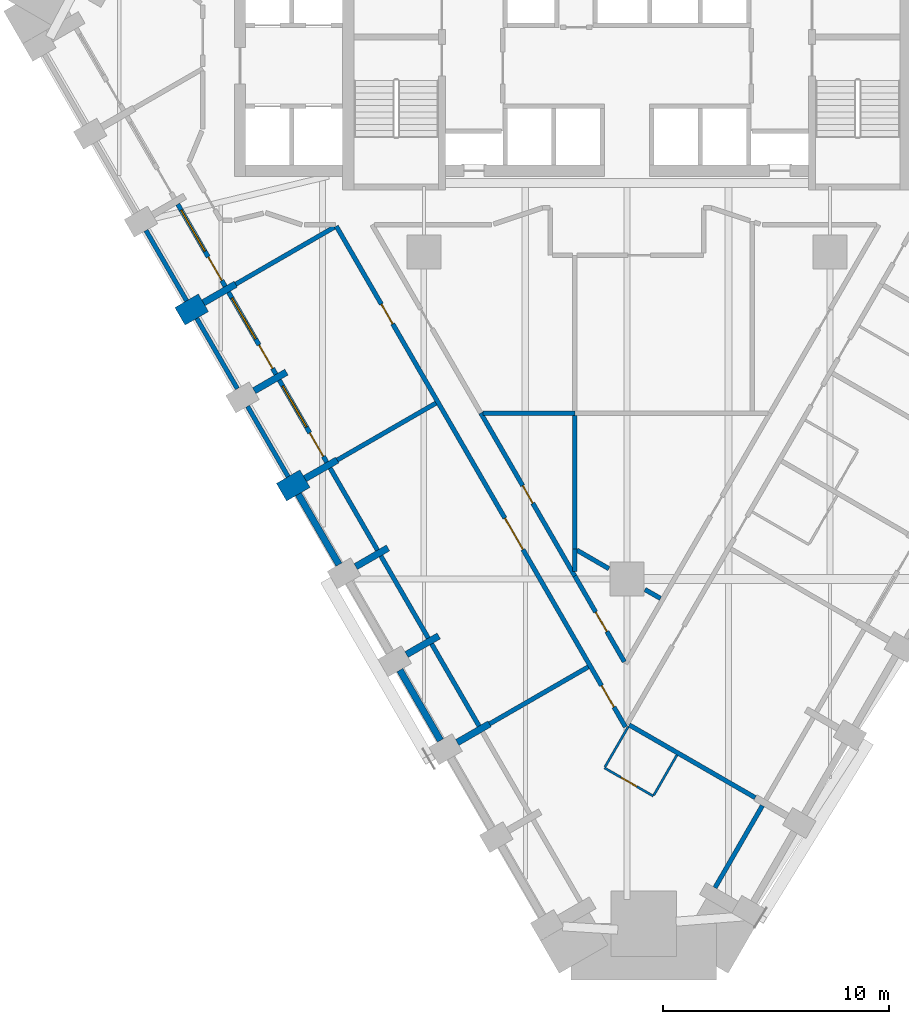
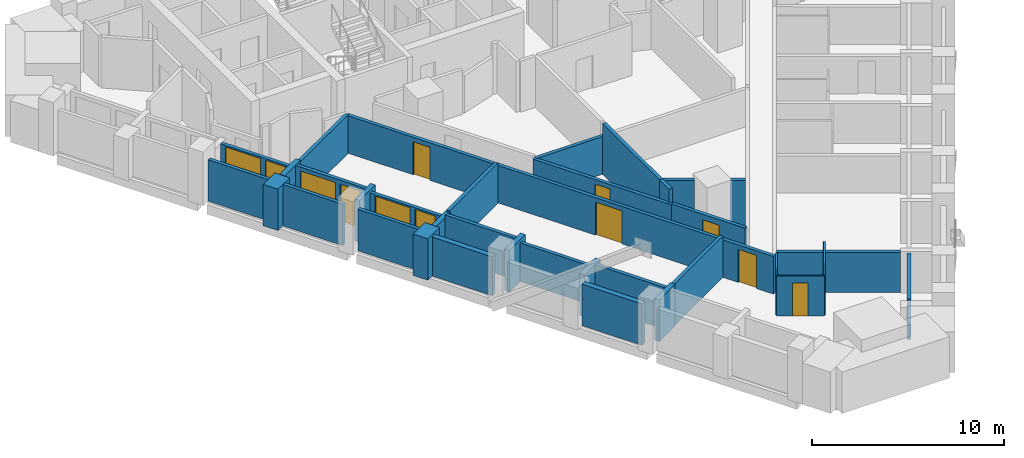
# One storey, part 3 of 11: 35 walls, 9 doors, 3 windows, 12 openings.
"""IFC4 building model written with IfcOpenShell, lengths in metres."""

from ifc_helpers import new_model, si_unit, direction, frame, frame_2d, origin, place, context, subcontext, project, spatial, rectangle, extrude, material, layer, layer_set, type_object, element, fill, save


model = new_model("IFC4")

# Units and contexts
model_context = context("Model", 3, precision=1e-05, world=origin(), true_north=direction((0.0, 1.0)))
body_context = subcontext(model_context, "Body", "Model", "MODEL_VIEW")
ifc_project = project(units=[si_unit("LENGTHUNIT", "METRE"), si_unit("AREAUNIT", "SQUARE_METRE"), si_unit("VOLUMEUNIT", "CUBIC_METRE"), si_unit("PLANEANGLEUNIT", "RADIAN"), si_unit("MASSUNIT", "GRAM", prefix="KILO")], contexts=[model_context])

# Site, building, storey
site_placement = place(None, origin())
site = spatial("IfcSite", under=ifc_project, at=site_placement, CompositionType="ELEMENT")
building_placement = place(site_placement, origin())
building = spatial("IfcBuilding", under=site, at=building_placement, Name="Calabash Gate Tower", CompositionType="ELEMENT")
storey_placement = place(building_placement, frame((0.0, 0.0, 112.199951171875)))
storey = spatial("IfcBuildingStorey", under=building, at=storey_placement, Name="L25", CompositionType="ELEMENT", Elevation=112.199951171875)

# Walls
ifc_material_1 = material(Name="Terracotta brick masonry, exposed face", Category="masonry")
ifc_layer_1 = layer(ifc_material_1, 1.199951171875)
ifc_layer_set_1 = layer_set([ifc_layer_1], Name="Brick end wall 1200")
wall_type_1 = type_object("IfcWallType", Name="Brick end wall 1200", PredefinedType="SOLIDWALL", material=ifc_layer_set_1)
for number, where, z_axis, x_axis, name in (
    (1, (-19.80859375, -0.355224609375, 0.0), (0.0, 0.0, 1.0), (0.866043267704, 0.499969057507, 0.0), "Brick pier S07 SW0.3"),
    (2, (-15.30859375, -8.1494140625, 0.0), (0.0, 0.0, 1.0), (0.866043267704, 0.499969057507, 0.0), "Brick pier S07 SW0.5"),
):
    element("IfcWall", number, at=place(storey_placement, frame(where, z_axis=z_axis, x_axis=x_axis)), inside=storey, type_object=wall_type_1, Name=name, PredefinedType="SOLIDWALL", context=body_context, shape_type="SweptSolid", body=[
        extrude(rectangle(XDim=1.19970703125, YDim=0.89990234375, at=frame_2d((0.599853515625, 0.0))), origin(), (0.0, 0.0, 1.0), 2.630126953125),
    ])
ifc_material_2 = material(Name="Terracotta brick masonry, exposed face", Category="masonry")
ifc_layer_2 = layer(ifc_material_2, 0.300048828125)
ifc_layer_set_2 = layer_set([ifc_layer_2], Name="Brick infill panel wall 300")
wall_type_2 = type_object("IfcWallType", Name="Brick infill panel wall 300", PredefinedType="SOLIDWALL", material=ifc_layer_set_2)
wall_1_placement = place(storey_placement, frame((-14.56396484375, -8.2392578125, 0.0), z_axis=(0.0, 0.0, 1.0), x_axis=(0.500012057535, -0.866018442252, 0.0)))
element("IfcWall", 3, at=wall_1_placement, inside=storey, type_object=wall_type_2, Name="Brick panel S07 SW0.6", PredefinedType="SOLIDWALL", context=body_context, shape_type="SweptSolid", body=[
    extrude(rectangle(XDim=3.60009765625, YDim=0.300048828125, at=frame_2d((1.800048828125, 0.0))), origin(), (0.0, 0.0, 1.0), 2.4736328125),
])
wall_2_placement = place(storey_placement, frame((-10.06396484375, -16.033447265625, 0.0), z_axis=(0.0, 0.0, 1.0), x_axis=(0.500012057535, -0.866018442252, 0.0)))
element("IfcWall", 4, at=wall_2_placement, inside=storey, type_object=wall_type_2, Name="Brick panel S07 SW0.8", PredefinedType="SOLIDWALL", context=body_context, shape_type="SweptSolid", body=[
    extrude(rectangle(XDim=3.60009765625, YDim=0.300048828125, at=frame_2d((1.800048828125, 0.0))), origin(), (0.0, 0.0, 1.0), 2.630126953125),
])
ifc_material_3 = material(Name="Terracotta brick masonry, exposed face", Category="masonry")
ifc_layer_3 = layer(ifc_material_3, 0.300048828125)
ifc_layer_set_3 = layer_set([ifc_layer_3], Name="Brick loggia cheek wall 300")
wall_type_3 = type_object("IfcWallType", Name="Brick loggia cheek wall 300", PredefinedType="SOLIDWALL", material=ifc_layer_set_3)
wall_3_placement = place(storey_placement, frame((-18.76953125, 0.24462890625, 0.0), z_axis=(0.0, 0.0, 1.0), x_axis=(0.865976140824, 0.500085316245, 0.0)))
element("IfcWall", 5, at=wall_3_placement, inside=storey, type_object=wall_type_3, Name="Loggia cheek S07 SW0.3", PredefinedType="SOLIDWALL", context=body_context, shape_type="SweptSolid", body=[
    extrude(rectangle(XDim=1.650146484375, YDim=0.300048828125, at=frame_2d((0.8251953125, 0.0))), origin(), (0.0, 0.0, 1.0), 2.650146484375),
])
wall_4_placement = place(storey_placement, frame((-16.519287109375, -3.65234375, 0.0), z_axis=(0.0, 0.0, 1.0), x_axis=(0.866003217194, 0.500038426333, 0.0)))
element("IfcWall", 6, at=wall_4_placement, inside=storey, type_object=wall_type_3, Name="Loggia cheek S07 SW0.4", PredefinedType="SOLIDWALL", context=body_context, shape_type="SweptSolid", body=[
    extrude(rectangle(XDim=1.649658203125, YDim=0.300048828125, at=frame_2d((0.82470703125, 0.0))), origin(), (0.0, 0.0, 1.0), 2.650146484375),
])
wall_5_placement = place(storey_placement, frame((-12.840576171875, -6.724609375, 0.0), z_axis=(0.0, 0.0, 1.0), x_axis=(-0.866040211805, -0.499974350878, 0.0)))
element("IfcWall", 7, at=wall_5_placement, inside=storey, type_object=wall_type_3, Name="Loggia cheek S07 SW0.5", PredefinedType="SOLIDWALL", context=body_context, shape_type="SweptSolid", body=[
    extrude(rectangle(XDim=1.64990234375, YDim=0.300048828125, at=frame_2d((0.824951171875, 0.0))), origin(), (0.0, 0.0, 1.0), 2.4736328125),
])
for number, where, z_axis, x_axis, name in (
    (8, (-12.01953125, -11.446533203125, 0.0), (0.0, 0.0, 1.0), (0.866040211805, 0.499974350878, 0.0), "Loggia cheek S07 SW0.6"),
    (9, (-8.340576171875, -14.518798828125, 0.0), (0.0, 0.0, 1.0), (-0.866040211805, -0.499974350878, 0.0), "Loggia cheek S07 SW0.7"),
):
    element("IfcWall", number, at=place(storey_placement, frame(where, z_axis=z_axis, x_axis=x_axis)), inside=storey, type_object=wall_type_3, Name=name, PredefinedType="SOLIDWALL", context=body_context, shape_type="SweptSolid", body=[
        extrude(rectangle(XDim=1.64990234375, YDim=0.300048828125, at=frame_2d((0.824951171875, 0.0))), origin(), (0.0, 0.0, 1.0), 2.650146484375),
    ])
wall_6_placement = place(storey_placement, frame((-7.51953125, -19.240966796875, 0.0), z_axis=(0.0, 0.0, 1.0), x_axis=(0.865976140824, 0.500085316245, 0.0)))
element("IfcWall", 10, at=wall_6_placement, inside=storey, type_object=wall_type_3, Name="Loggia cheek S07 SW0.8", PredefinedType="SOLIDWALL", context=body_context, shape_type="SweptSolid", body=[
    extrude(rectangle(XDim=1.650146484375, YDim=0.300048828125, at=frame_2d((0.8251953125, 0.0))), origin(), (0.0, 0.0, 1.0), 2.650146484375),
])
ifc_material_4 = material(Name="Gypsum board on steel studs, mineral wool", Category="steel")
ifc_layer_4 = layer(ifc_material_4, 0.10009765625)
ifc_layer_set_4 = layer_set([ifc_layer_4], Name="Partition 100 gypsum board")
wall_type_4 = type_object("IfcWallType", Name="Partition 100 gypsum board", PredefinedType="PARTITIONING", material=ifc_layer_set_4)
wall_7_placement = place(storey_placement, frame((1.192626953125, -21.573486328125, 0.0), z_axis=(0.0, 0.0, 1.0), x_axis=(0.499354689006, 0.866397653833, 0.0)))
element("IfcWall", 11, at=wall_7_placement, inside=storey, type_object=wall_type_4, Name="Partition", PredefinedType="PARTITIONING", context=body_context, shape_type="SweptSolid", body=[
    extrude(rectangle(XDim=2.050048828125, YDim=0.10009765625, at=frame_2d((1.02490234375, 0.0))), origin(), (0.0, 0.0, 1.0), 3.22998046875),
])

# Wall, opening, door
wall_8_placement = place(storey_placement, frame((-0.997314453125, -20.36669921875, 0.0), z_axis=(0.0, 0.0, 1.0), x_axis=(0.866022959057, -0.500004234368, 0.0)))
wall_8 = element("IfcWall", 12, at=wall_8_placement, inside=storey, type_object=wall_type_4, Name="Partition", PredefinedType="PARTITIONING", context=body_context, shape_type="SweptSolid", body=[
    extrude(rectangle(XDim=2.5, YDim=0.10009765625, at=frame_2d((1.25, 0.0))), origin(), (0.0, 0.0, 1.0), 2.552001953125),
])
opening_1_placement = place(wall_8_placement, frame((0.85009765625, 0.0, 0.0)))
opening_1 = element("IfcOpeningElement", 13, at=opening_1_placement, cuts=wall_8, Name="Opening 25-27-017", PredefinedType="OPENING", context=body_context, shape_type="SweptSolid", body=[
    extrude(rectangle(XDim=0.800048828125, YDim=2.10009765625, at=frame_2d((0.39990234375, 1.050048828125))), frame((0.0, 0.06005859375, 0.0), z_axis=(0.0, -1.0, 0.0), x_axis=(1.0, 0.0, 0.0)), (0.0, 0.0, 1.0), 0.1201171875),
])
ifc_material_5 = material(Name="Painted timber door", Category="wood")
door_type_1 = type_object("IfcDoorType", Name="GD5 En-suite door 800x2100", OperationType="NOTDEFINED", PredefinedType="DOOR", material=ifc_material_5)
door_1_placement = place(opening_1_placement, origin())
door_1 = element("IfcDoor", 14, at=door_1_placement, inside=storey, type_object=door_type_1, Name="En-suite door", OperationType="SINGLE_SWING_RIGHT", OverallHeight=2.10009765625, OverallWidth=0.800048828125, PredefinedType="DOOR", context=body_context, shape_type="SweptSolid", body=[
    extrude(rectangle(XDim=0.800048828125, YDim=2.10009765625, at=frame_2d((0.39990234375, 1.050048828125))), frame((0.0, 0.02490234375, 0.0), z_axis=(0.0, -1.0, 0.0), x_axis=(1.0, 0.0, 0.0)), (0.0, 0.0, 1.0), 0.050048828125),
])
fill(opening_1, door_1)

# Wall
wall_9_placement = place(storey_placement, frame((-0.972412109375, -20.323486328125, 0.0), z_axis=(0.0, 0.0, 1.0), x_axis=(0.500646589026, 0.865651773461, 0.0)))
element("IfcWall", 15, at=wall_9_placement, inside=storey, type_object=wall_type_4, Name="Partition", PredefinedType="PARTITIONING", context=body_context, shape_type="SweptSolid", body=[
    extrude(rectangle(XDim=2.050048828125, YDim=0.10009765625, at=frame_2d((1.02490234375, 0.0))), origin(), (0.0, 0.0, 1.0), 2.552001953125),
])

# Wall, openings, doors
ifc_material_6 = material(Name="Gypsum board on steel studs, mineral wool", Category="steel")
ifc_layer_5 = layer(ifc_material_6, 0.199951171875)
ifc_layer_set_5 = layer_set([ifc_layer_5], Name="Partition 200 gypsum board EI 60")
wall_type_5 = type_object("IfcWallType", Name="Partition 200 gypsum board EI 60", PredefinedType="PARTITIONING", material=ifc_layer_set_5)
wall_10_placement = place(storey_placement, frame((-12.882080078125, 3.643798828125, 0.0), z_axis=(0.0, 0.0, 1.0), x_axis=(0.500000325599, -0.866025215799, 0.0)))
wall_10 = element("IfcWall", 16, at=wall_10_placement, inside=storey, type_object=wall_type_5, Name="Partition", PredefinedType="PARTITIONING", context=body_context, shape_type="SweptSolid", body=[
    extrude(rectangle(XDim=25.63037109375, YDim=0.199951171875, at=frame_2d((12.815185546875, 0.0))), origin(), (0.0, 0.0, 1.0), 2.384033203125),
])
opening_2_placement = place(wall_10_placement, frame((4.0, 0.0, 0.0)))
opening_2 = element("IfcOpeningElement", 17, at=opening_2_placement, cuts=wall_10, Name="Opening 25-27-001", PredefinedType="OPENING", context=body_context, shape_type="SweptSolid", body=[
    extrude(rectangle(XDim=1.0, YDim=2.10009765625, at=frame_2d((0.5, 1.050048828125))), frame((0.0, 0.10986328125, 0.0), z_axis=(0.0, -1.0, 0.0), x_axis=(1.0, 0.0, 0.0)), (0.0, 0.0, 1.0), 0.219970703125),
])
opening_3_placement = place(wall_10_placement, frame((14.9501953125, 0.0, 0.0)))
opening_3 = element("IfcOpeningElement", 18, at=opening_3_placement, cuts=wall_10, Name="Opening 25-27-002", PredefinedType="OPENING", context=body_context, shape_type="SweptSolid", body=[
    extrude(rectangle(XDim=1.60009765625, YDim=2.10009765625, at=frame_2d((0.800048828125, 1.050048828125))), frame((0.0, 0.10986328125, 0.0), z_axis=(0.0, -1.0, 0.0), x_axis=(1.0, 0.0, 0.0)), (0.0, 0.0, 1.0), 0.219970703125),
])
opening_4_placement = place(wall_10_placement, frame((23.515380859375, 0.0, 0.0)))
opening_4 = element("IfcOpeningElement", 19, at=opening_4_placement, cuts=wall_10, Name="Opening 25-27-026", PredefinedType="OPENING", context=body_context, shape_type="SweptSolid", body=[
    extrude(rectangle(XDim=1.10009765625, YDim=2.10009765625, at=frame_2d((0.550048828125, 1.050048828125))), frame((0.0, 0.10986328125, 0.0), z_axis=(0.0, -1.0, 0.0), x_axis=(1.0, 0.0, 0.0)), (0.0, 0.0, 1.0), 0.219970703125),
])
ifc_material_7 = material(Name="Steel fire door set with fire-resisting glazing", Category="steel")
door_type_2 = type_object("IfcDoorType", Name="GD3 Suite entrance door 1100x2100", OperationType="NOTDEFINED", PredefinedType="DOOR", material=ifc_material_7)
door_2_placement = place(opening_4_placement, origin())
door_2 = element("IfcDoor", 20, at=door_2_placement, inside=storey, type_object=door_type_2, Name="Suite entrance door", OperationType="SINGLE_SWING_LEFT", OverallHeight=2.10009765625, OverallWidth=1.10009765625, PredefinedType="DOOR", context=body_context, shape_type="SweptSolid", body=[
    extrude(rectangle(XDim=1.10009765625, YDim=2.10009765625, at=frame_2d((0.550048828125, 1.050048828125))), frame((0.0, 0.02490234375, 0.0), z_axis=(0.0, -1.0, 0.0), x_axis=(1.0, 0.0, 0.0)), (0.0, 0.0, 1.0), 0.050048828125),
])
fill(opening_4, door_2)
ifc_material_8 = material(Name="Steel fire door set with fire-resisting glazing", Category="steel")
door_type_3 = type_object("IfcDoorType", Name="LD1 Lounge double door 1600x2100", OperationType="NOTDEFINED", PredefinedType="DOOR", material=ifc_material_8)
door_3_placement = place(opening_3_placement, origin())
door_3 = element("IfcDoor", 21, at=door_3_placement, inside=storey, type_object=door_type_3, Name="Lounge double door", OperationType="DOUBLE_DOOR_SINGLE_SWING", OverallHeight=2.10009765625, OverallWidth=1.60009765625, PredefinedType="DOOR", context=body_context, shape_type="SweptSolid", body=[
    extrude(rectangle(XDim=1.60009765625, YDim=2.10009765625, at=frame_2d((0.800048828125, 1.050048828125))), frame((0.0, 0.02490234375, 0.0), z_axis=(0.0, -1.0, 0.0), x_axis=(1.0, 0.0, 0.0)), (0.0, 0.0, 1.0), 0.050048828125),
])
fill(opening_3, door_3)
ifc_material_9 = material(Name="Steel fire door set with fire-resisting glazing", Category="steel")
door_type_4 = type_object("IfcDoorType", Name="LD2 Meeting room door 1000x2100", OperationType="NOTDEFINED", PredefinedType="DOOR", material=ifc_material_9)
door_4_placement = place(opening_2_placement, origin())
door_4 = element("IfcDoor", 22, at=door_4_placement, inside=storey, type_object=door_type_4, Name="Meeting room door", OperationType="SINGLE_SWING_RIGHT", OverallHeight=2.10009765625, OverallWidth=1.0, PredefinedType="DOOR", context=body_context, shape_type="SweptSolid", body=[
    extrude(rectangle(XDim=1.0, YDim=2.10009765625, at=frame_2d((0.5, 1.050048828125))), frame((0.0, 0.02490234375, 0.0), z_axis=(0.0, -1.0, 0.0), x_axis=(1.0, 0.0, 0.0)), (0.0, 0.0, 1.0), 0.050048828125),
])
fill(opening_2, door_4)

# Walls
wall_11_placement = place(storey_placement, frame((0.101806640625, -18.462890625, 0.0), z_axis=(0.0, 0.0, 1.0), x_axis=(0.866035557451, -0.499982412921, 0.0)))
element("IfcWall", 23, at=wall_11_placement, inside=storey, type_object=wall_type_5, Name="Partition", PredefinedType="PARTITIONING", context=body_context, shape_type="SweptSolid", body=[
    extrude(rectangle(XDim=6.449462890625, YDim=0.199951171875, at=frame_2d((3.224609375, 0.0))), origin(), (0.0, 0.0, 1.0), 2.552001953125),
])
wall_12_placement = place(storey_placement, frame((-6.090087890625, -18.416259765625, 0.0), z_axis=(0.0, 0.0, 1.0), x_axis=(0.866164656326, 0.49975872992, 0.0)))
element("IfcWall", 24, at=wall_12_placement, inside=storey, type_object=wall_type_5, Name="Partition", PredefinedType="PARTITIONING", context=body_context, shape_type="SweptSolid", body=[
    extrude(rectangle(XDim=5.04931640625, YDim=0.199951171875, at=frame_2d((2.524658203125, 0.0))), origin(), (0.0, 0.0, 1.0), 2.6279296875),
])
wall_13_placement = place(storey_placement, frame((0.800048828125, -12.461669921875, 0.0), z_axis=(0.0, 0.0, 1.0), x_axis=(0.867012419422, -0.498286528584, 0.0)))
element("IfcWall", 25, at=wall_13_placement, inside=storey, type_object=wall_type_5, Name="Partition", PredefinedType="PARTITIONING", context=body_context, shape_type="SweptSolid", body=[
    extrude(rectangle(XDim=0.795166015625, YDim=0.199951171875, at=frame_2d((0.3974609375, 0.0))), origin(), (0.0, 0.0, 1.0), 3.22998046875),
])

# Wall, opening, door
wall_14_placement = place(storey_placement, frame((-2.311279296875, -11.861083984375, 0.0), z_axis=(0.0, 0.0, 1.0), x_axis=(0.499977492351, -0.866038398192, 0.0)))
wall_14 = element("IfcWall", 26, at=wall_14_placement, inside=storey, type_object=wall_type_5, Name="Partition", PredefinedType="PARTITIONING", context=body_context, shape_type="SweptSolid", body=[
    extrude(rectangle(XDim=4.391845703125, YDim=0.199951171875, at=frame_2d((2.19580078125, 0.0))), origin(), (0.0, 0.0, 1.0), 2.4501953125),
])
opening_5_placement = place(wall_14_placement, frame((1.84423828125, 0.0, 0.0)))
opening_5 = element("IfcOpeningElement", 27, at=opening_5_placement, cuts=wall_14, Name="Opening 25-27-015", PredefinedType="OPENING", context=body_context, shape_type="SweptSolid", body=[
    extrude(rectangle(XDim=1.0, YDim=2.10009765625, at=frame_2d((0.5, 1.050048828125))), frame((0.0, 0.10986328125, 0.0), z_axis=(0.0, -1.0, 0.0), x_axis=(1.0, 0.0, 0.0)), (0.0, 0.0, 1.0), 0.219970703125),
])
door_5_placement = place(opening_5_placement, origin())
door_5 = element("IfcDoor", 28, at=door_5_placement, inside=storey, type_object=door_type_4, Name="Meeting room door", OperationType="SINGLE_SWING_RIGHT", OverallHeight=2.10009765625, OverallWidth=1.0, PredefinedType="DOOR", context=body_context, shape_type="SweptSolid", body=[
    extrude(rectangle(XDim=1.0, YDim=2.10009765625, at=frame_2d((0.5, 1.050048828125))), frame((0.0, 0.02490234375, 0.0), z_axis=(0.0, -1.0, 0.0), x_axis=(1.0, 0.0, 0.0)), (0.0, 0.0, 1.0), 0.050048828125),
])
fill(opening_5, door_5)

# Walls
wall_15_placement = place(storey_placement, frame((-2.224609375, -10.713623046875, 0.0), z_axis=(0.0, 0.0, 1.0), x_axis=(0.865565051919, -0.500796506474, 0.0)))
element("IfcWall", 29, at=wall_15_placement, inside=storey, type_object=wall_type_5, Name="Partition", PredefinedType="PARTITIONING", context=body_context, shape_type="SweptSolid", body=[
    extrude(rectangle(XDim=1.645751953125, YDim=0.199951171875, at=frame_2d((0.82275390625, 0.0))), origin(), (0.0, 0.0, 1.0), 3.22998046875),
])
wall_16_placement = place(storey_placement, frame((-2.31103515625, -11.66162109375, 0.0), z_axis=(0.0, 0.0, 1.0), x_axis=(0.001472029808, 0.999998916564, 0.0)))
element("IfcWall", 30, at=wall_16_placement, inside=storey, type_object=wall_type_5, Name="Partition", PredefinedType="PARTITIONING", context=body_context, shape_type="SweptSolid", body=[
    extrude(rectangle(XDim=0.9951171875, YDim=0.199951171875, at=frame_2d((0.49755859375, 0.0))), origin(), (0.0, 0.0, 1.0), 3.22998046875),
])
wall_17_placement = place(storey_placement, frame((-2.3095703125, -10.66650390625, 0.0), z_axis=(0.0, 0.0, 1.0), x_axis=(0.0, 1.0, 0.0)))
element("IfcWall", 31, at=wall_17_placement, inside=storey, type_object=wall_type_5, Name="Partition", PredefinedType="PARTITIONING", context=body_context, shape_type="SweptSolid", body=[
    extrude(rectangle(XDim=5.927001953125, YDim=0.199951171875, at=frame_2d((2.96337890625, 0.0))), origin(), (0.0, 0.0, 1.0), 3.22998046875),
])

# Wall, opening, door
wall_18_placement = place(storey_placement, frame((-6.4775390625, -4.641357421875, 0.0), z_axis=(0.0, 0.0, 1.0), x_axis=(0.499806127846, -0.866137306994, 0.0)))
wall_18 = element("IfcWall", 32, at=wall_18_placement, inside=storey, type_object=wall_type_5, Name="Partition", PredefinedType="PARTITIONING", context=body_context, shape_type="SweptSolid", body=[
    extrude(rectangle(XDim=8.335205078125, YDim=0.199951171875, at=frame_2d((4.16748046875, 0.0))), origin(), (0.0, 0.0, 1.0), 2.384033203125),
])
opening_6_placement = place(wall_18_placement, frame((3.716064453125, 0.0, 0.0)))
opening_6 = element("IfcOpeningElement", 33, at=opening_6_placement, cuts=wall_18, Name="Opening 25-27-014", PredefinedType="OPENING", context=body_context, shape_type="SweptSolid", body=[
    extrude(rectangle(XDim=0.89990234375, YDim=2.10009765625, at=frame_2d((0.449951171875, 1.050048828125))), frame((0.0, 0.10986328125, 0.0), z_axis=(0.0, -1.0, 0.0), x_axis=(1.0, 0.0, 0.0)), (0.0, 0.0, 1.0), 0.219970703125),
])
ifc_material_10 = material(Name="Steel fire door set with fire-resisting glazing", Category="steel")
door_type_5 = type_object("IfcDoorType", Name="SD3 Store door 900x2100", OperationType="NOTDEFINED", PredefinedType="DOOR", material=ifc_material_10)
door_6_placement = place(opening_6_placement, origin())
door_6 = element("IfcDoor", 34, at=door_6_placement, inside=storey, type_object=door_type_5, Name="Store door", OperationType="SINGLE_SWING_LEFT", OverallHeight=2.10009765625, OverallWidth=0.89990234375, PredefinedType="DOOR", context=body_context, shape_type="SweptSolid", body=[
    extrude(rectangle(XDim=0.89990234375, YDim=2.10009765625, at=frame_2d((0.449951171875, 1.050048828125))), frame((0.0, 0.02490234375, 0.0), z_axis=(0.0, -1.0, 0.0), x_axis=(1.0, 0.0, 0.0)), (0.0, 0.0, 1.0), 0.050048828125),
])
fill(opening_6, door_6)

# Walls
wall_19_placement = place(storey_placement, frame((-6.377685546875, -4.641357421875, 0.0), z_axis=(0.0, 0.0, 1.0), x_axis=(1.0, 0.0, 0.0)))
element("IfcWall", 35, at=wall_19_placement, inside=storey, type_object=wall_type_5, Name="Partition", PredefinedType="PARTITIONING", context=body_context, shape_type="SweptSolid", body=[
    extrude(rectangle(XDim=4.066162109375, YDim=0.199951171875, at=frame_2d((2.033203125, 0.0))), origin(), (0.0, 0.0, 1.0), 2.384033203125),
])
wall_20_placement = place(storey_placement, frame((-12.84033203125, -6.724609375, 0.0), z_axis=(0.0, 0.0, 1.0), x_axis=(0.866209732401, 0.499680597475, 0.0)))
element("IfcWall", 36, at=wall_20_placement, inside=storey, type_object=wall_type_5, Name="Partition", PredefinedType="PARTITIONING", context=body_context, shape_type="SweptSolid", body=[
    extrude(rectangle(XDim=5.049560546875, YDim=0.199951171875, at=frame_2d((2.52490234375, 0.0))), origin(), (0.0, 0.0, 1.0), 2.552001953125),
])
wall_21_placement = place(storey_placement, frame((-17.3408203125, 1.0703125, 0.0), z_axis=(0.0, 0.0, 1.0), x_axis=(0.865894858421, 0.500226043064, 0.0)))
element("IfcWall", 37, at=wall_21_placement, inside=storey, type_object=wall_type_5, Name="Partition", PredefinedType="PARTITIONING", context=body_context, shape_type="SweptSolid", body=[
    extrude(rectangle(XDim=5.049560546875, YDim=0.199951171875, at=frame_2d((2.52490234375, 0.0))), origin(), (0.0, 0.0, 1.0), 2.4736328125),
])
ifc_material_11 = material(Name="Terracotta brick masonry, perforated", Category="masonry")
ifc_layer_6 = layer(ifc_material_11, 0.199951171875)
ifc_layer_set_6 = layer_set([ifc_layer_6], Name="Terracotta jaali screen A")
wall_type_6 = type_object("IfcWallType", Name="Terracotta jaali screen A", PredefinedType="SOLIDWALL", material=ifc_layer_set_6)
for number, where, z_axis, x_axis, name in (
    (38, (-21.31396484375, 3.4521484375, 0.0), (0.0, 0.0, 1.0), (0.500012057535, -0.866018442252, 0.0), "SCREEN A S07 SW0.3"),
    (39, (-19.06396484375, -0.445068359375, 0.0), (0.0, 0.0, 1.0), (0.500012057535, -0.866018442252, 0.0), "SCREEN A S07 SW0.4"),
    (40, (-16.81396484375, -4.342041015625, 0.0), (0.0, 0.0, 1.0), (0.500012057535, -0.866018442252, 0.0), "SCREEN A S07 SW0.5"),
):
    element("IfcWall", number, at=place(storey_placement, frame(where, z_axis=z_axis, x_axis=x_axis)), inside=storey, type_object=wall_type_6, Name=name, PredefinedType="SOLIDWALL", context=body_context, shape_type="SweptSolid", body=[
        extrude(rectangle(XDim=3.60009765625, YDim=0.199951171875, at=frame_2d((1.800048828125, 0.0))), origin(), (0.0, 0.0, 1.0), 2.630126953125),
    ])

# Wall, openings, door, window
ifc_material_12 = material(Name="Aluminium framed window wall with insulated spandrel", Category="aluminium")
ifc_layer_7 = layer(ifc_material_12, 0.199951171875)
ifc_layer_set_7 = layer_set([ifc_layer_7], Name="Window wall 200")
wall_type_7 = type_object("IfcWallType", Name="Window wall 200", PredefinedType="ELEMENTEDWALL", material=ifc_layer_set_7)
wall_22_placement = place(storey_placement, frame((-19.9052734375, 4.61181640625, 0.0), z_axis=(0.0, 0.0, 1.0), x_axis=(0.500027713859, -0.866009402589, 0.0)))
wall_22 = element("IfcWall", 41, at=wall_22_placement, inside=storey, type_object=wall_type_7, Name="Window wall S07 SW0.3", PredefinedType="ELEMENTEDWALL", context=body_context, shape_type="SweptSolid", body=[
    extrude(rectangle(XDim=4.199951171875, YDim=0.199951171875, at=frame_2d((2.10009765625, 0.0))), origin(), (0.0, 0.0, 1.0), 2.4501953125),
])
opening_7_placement = place(wall_22_placement, frame((0.300048828125, 0.0, 0.60009765625)))
opening_7 = element("IfcOpeningElement", 42, at=opening_7_placement, cuts=wall_22, Name="Opening HW1L-1750", PredefinedType="OPENING", context=body_context, shape_type="SweptSolid", body=[
    extrude(rectangle(XDim=2.10009765625, YDim=1.75, at=frame_2d((1.050048828125, 0.875))), frame((0.0, 0.10986328125, 0.0), z_axis=(0.0, -1.0, 0.0), x_axis=(1.0, 0.0, 0.0)), (0.0, 0.0, 1.0), 0.219970703125),
])
opening_8_placement = place(wall_22_placement, frame((2.699951171875, 0.0, 0.0)))
opening_8 = element("IfcOpeningElement", 43, at=opening_8_placement, cuts=wall_22, Name="Opening H7-026", PredefinedType="OPENING", context=body_context, shape_type="SweptSolid", body=[
    extrude(rectangle(XDim=1.199951171875, YDim=2.35009765625, at=frame_2d((0.60009765625, 1.175048828125))), frame((0.0, 0.10986328125, 0.0), z_axis=(0.0, -1.0, 0.0), x_axis=(1.0, 0.0, 0.0)), (0.0, 0.0, 1.0), 0.219970703125),
])
ifc_material_13 = material(Name="Anodised aluminium frame, bronze finish, impact-rated laminated clear glazing", Category="aluminium")
door_type_6 = type_object("IfcDoorType", Name="Loggia door DH1L-2350 1200x2350", OperationType="SLIDING_TO_LEFT", PredefinedType="DOOR", material=ifc_material_13)
door_7_placement = place(opening_8_placement, origin())
door_7 = element("IfcDoor", 44, at=door_7_placement, inside=storey, type_object=door_type_6, Name="Loggia door S07 SW0.3", OperationType="SINGLE_SWING_LEFT", OverallHeight=2.35009765625, OverallWidth=1.199951171875, PredefinedType="DOOR", context=body_context, shape_type="SweptSolid", body=[
    extrude(rectangle(XDim=1.199951171875, YDim=2.35009765625, at=frame_2d((0.60009765625, 1.175048828125))), frame((0.0, 0.02490234375, 0.0), z_axis=(0.0, -1.0, 0.0), x_axis=(1.0, 0.0, 0.0)), (0.0, 0.0, 1.0), 0.050048828125),
])
fill(opening_8, door_7)
ifc_material_14 = material(Name="Anodised aluminium frame, bronze finish, impact-rated laminated clear glazing", Category="aluminium")
window_type_1 = type_object("IfcWindowType", Name="Window HW1L 2100x1750", PartitioningType="DOUBLE_PANEL_VERTICAL", PredefinedType="WINDOW", material=ifc_material_14)
window_1_placement = place(opening_7_placement, origin())
window_1 = element("IfcWindow", 45, at=window_1_placement, inside=storey, type_object=window_type_1, Name="Window HW1 S07 SW0.3", OverallHeight=1.75, OverallWidth=2.10009765625, PartitioningType="SINGLE_PANEL", PredefinedType="WINDOW", context=body_context, shape_type="SweptSolid", body=[
    extrude(rectangle(XDim=2.10009765625, YDim=1.75, at=frame_2d((1.050048828125, 0.875))), frame((0.0, 0.030029296875, 0.0), z_axis=(0.0, -1.0, 0.0), x_axis=(1.0, 0.0, 0.0)), (0.0, 0.0, 1.0), 0.06005859375),
])
fill(opening_7, window_1)

wall_23_placement = place(storey_placement, frame((-17.6552734375, 0.71484375, 0.0), z_axis=(0.0, 0.0, 1.0), x_axis=(0.500002543286, -0.866023935413, 0.0)))
wall_23 = element("IfcWall", 46, at=wall_23_placement, inside=storey, type_object=wall_type_7, Name="Window wall S07 SW0.4", PredefinedType="ELEMENTEDWALL", context=body_context, shape_type="SweptSolid", body=[
    extrude(rectangle(XDim=4.2001953125, YDim=0.199951171875, at=frame_2d((2.10009765625, 0.0))), origin(), (0.0, 0.0, 1.0), 2.650146484375),
])
opening_9_placement = place(wall_23_placement, frame((0.300048828125, 0.0, 0.60009765625)))
opening_9 = element("IfcOpeningElement", 47, at=opening_9_placement, cuts=wall_23, Name="Opening HW1", PredefinedType="OPENING", context=body_context, shape_type="SweptSolid", body=[
    extrude(rectangle(XDim=2.10009765625, YDim=1.800048828125, at=frame_2d((1.050048828125, 0.89990234375))), frame((0.0, 0.10986328125, 0.0), z_axis=(0.0, -1.0, 0.0), x_axis=(1.0, 0.0, 0.0)), (0.0, 0.0, 1.0), 0.219970703125),
])
opening_10_placement = place(wall_23_placement, frame((2.699951171875, 0.0, 0.0)))
opening_10 = element("IfcOpeningElement", 48, at=opening_10_placement, cuts=wall_23, Name="Opening H7-027", PredefinedType="OPENING", context=body_context, shape_type="SweptSolid", body=[
    extrude(rectangle(XDim=1.199951171875, YDim=2.39990234375, at=frame_2d((0.60009765625, 1.199951171875))), frame((0.0, 0.10986328125, 0.0), z_axis=(0.0, -1.0, 0.0), x_axis=(1.0, 0.0, 0.0)), (0.0, 0.0, 1.0), 0.219970703125),
])
ifc_material_15 = material(Name="Anodised aluminium frame, bronze finish, impact-rated laminated clear glazing", Category="aluminium")
door_type_7 = type_object("IfcDoorType", Name="Loggia door DH1 1200x2400", OperationType="SLIDING_TO_LEFT", PredefinedType="DOOR", material=ifc_material_15)
door_8_placement = place(opening_10_placement, origin())
door_8 = element("IfcDoor", 49, at=door_8_placement, inside=storey, type_object=door_type_7, Name="Loggia door S07 SW0.4", OperationType="SINGLE_SWING_LEFT", OverallHeight=2.39990234375, OverallWidth=1.199951171875, PredefinedType="DOOR", context=body_context, shape_type="SweptSolid", body=[
    extrude(rectangle(XDim=1.199951171875, YDim=2.39990234375, at=frame_2d((0.60009765625, 1.199951171875))), frame((0.0, 0.02490234375, 0.0), z_axis=(0.0, -1.0, 0.0), x_axis=(1.0, 0.0, 0.0)), (0.0, 0.0, 1.0), 0.050048828125),
])
fill(opening_10, door_8)
ifc_material_16 = material(Name="Anodised aluminium frame, bronze finish, impact-rated laminated clear glazing", Category="aluminium")
window_type_2 = type_object("IfcWindowType", Name="Window HW1 2100x1800", PartitioningType="DOUBLE_PANEL_VERTICAL", PredefinedType="WINDOW", material=ifc_material_16)
window_2_placement = place(opening_9_placement, origin())
window_2 = element("IfcWindow", 50, at=window_2_placement, inside=storey, type_object=window_type_2, Name="Window HW1 S07 SW0.4", OverallHeight=1.800048828125, OverallWidth=2.10009765625, PartitioningType="SINGLE_PANEL", PredefinedType="WINDOW", context=body_context, shape_type="SweptSolid", body=[
    extrude(rectangle(XDim=2.10009765625, YDim=1.800048828125, at=frame_2d((1.050048828125, 0.89990234375))), frame((0.0, 0.030029296875, 0.0), z_axis=(0.0, -1.0, 0.0), x_axis=(1.0, 0.0, 0.0)), (0.0, 0.0, 1.0), 0.06005859375),
])
fill(opening_9, window_2)

wall_24_placement = place(storey_placement, frame((-15.4052734375, -3.182373046875, 0.0), z_axis=(0.0, 0.0, 1.0), x_axis=(0.500027713859, -0.866009402589, 0.0)))
wall_24 = element("IfcWall", 51, at=wall_24_placement, inside=storey, type_object=wall_type_7, Name="Window wall S07 SW0.5", PredefinedType="ELEMENTEDWALL", context=body_context, shape_type="SweptSolid", body=[
    extrude(rectangle(XDim=4.199951171875, YDim=0.199951171875, at=frame_2d((2.10009765625, 0.0))), origin(), (0.0, 0.0, 1.0), 2.4736328125),
])
opening_11_placement = place(wall_24_placement, frame((0.300048828125, 0.0, 0.60009765625)))
opening_11 = element("IfcOpeningElement", 52, at=opening_11_placement, cuts=wall_24, Name="Opening HW1L-1770", PredefinedType="OPENING", context=body_context, shape_type="SweptSolid", body=[
    extrude(rectangle(XDim=2.10009765625, YDim=1.77001953125, at=frame_2d((1.050048828125, 0.885009765625))), frame((0.0, 0.10986328125, 0.0), z_axis=(0.0, -1.0, 0.0), x_axis=(1.0, 0.0, 0.0)), (0.0, 0.0, 1.0), 0.219970703125),
])
opening_12_placement = place(wall_24_placement, frame((2.699951171875, 0.0, 0.0)))
opening_12 = element("IfcOpeningElement", 53, at=opening_12_placement, cuts=wall_24, Name="Opening H7-028", PredefinedType="OPENING", context=body_context, shape_type="SweptSolid", body=[
    extrude(rectangle(XDim=1.199951171875, YDim=2.3701171875, at=frame_2d((0.60009765625, 1.18505859375))), frame((0.0, 0.10986328125, 0.0), z_axis=(0.0, -1.0, 0.0), x_axis=(1.0, 0.0, 0.0)), (0.0, 0.0, 1.0), 0.219970703125),
])
ifc_material_17 = material(Name="Anodised aluminium frame, bronze finish, impact-rated laminated clear glazing", Category="aluminium")
door_type_8 = type_object("IfcDoorType", Name="Loggia door DH1L-2370 1200x2370", OperationType="SLIDING_TO_LEFT", PredefinedType="DOOR", material=ifc_material_17)
door_9_placement = place(opening_12_placement, origin())
door_9 = element("IfcDoor", 54, at=door_9_placement, inside=storey, type_object=door_type_8, Name="Loggia door S07 SW0.5", OperationType="SINGLE_SWING_LEFT", OverallHeight=2.3701171875, OverallWidth=1.199951171875, PredefinedType="DOOR", context=body_context, shape_type="SweptSolid", body=[
    extrude(rectangle(XDim=1.199951171875, YDim=2.3701171875, at=frame_2d((0.60009765625, 1.18505859375))), frame((0.0, 0.02490234375, 0.0), z_axis=(0.0, -1.0, 0.0), x_axis=(1.0, 0.0, 0.0)), (0.0, 0.0, 1.0), 0.050048828125),
])
fill(opening_12, door_9)
ifc_material_18 = material(Name="Anodised aluminium frame, bronze finish, impact-rated laminated clear glazing", Category="aluminium")
window_type_3 = type_object("IfcWindowType", Name="Window HW1L 2100x1770", PartitioningType="DOUBLE_PANEL_VERTICAL", PredefinedType="WINDOW", material=ifc_material_18)
window_3_placement = place(opening_11_placement, origin())
window_3 = element("IfcWindow", 55, at=window_3_placement, inside=storey, type_object=window_type_3, Name="Window HW1 S07 SW0.5", OverallHeight=1.77001953125, OverallWidth=2.10009765625, PartitioningType="SINGLE_PANEL", PredefinedType="WINDOW", context=body_context, shape_type="SweptSolid", body=[
    extrude(rectangle(XDim=2.10009765625, YDim=1.77001953125, at=frame_2d((1.050048828125, 0.885009765625))), frame((0.0, 0.030029296875, 0.0), z_axis=(0.0, -1.0, 0.0), x_axis=(1.0, 0.0, 0.0)), (0.0, 0.0, 1.0), 0.06005859375),
])
fill(opening_11, window_3)

# Walls
wall_25_placement = place(storey_placement, frame((-13.1552734375, -7.079345703125, 0.0), z_axis=(0.0, 0.0, 1.0), x_axis=(0.500002543286, -0.866023935413, 0.0)))
element("IfcWall", 56, at=wall_25_placement, inside=storey, type_object=wall_type_7, Name="Window wall S07 SW0.6", PredefinedType="ELEMENTEDWALL", context=body_context, shape_type="SweptSolid", body=[
    extrude(rectangle(XDim=4.2001953125, YDim=0.199951171875, at=frame_2d((2.10009765625, 0.0))), origin(), (0.0, 0.0, 1.0), 2.650146484375),
])
wall_26_placement = place(storey_placement, frame((-10.9052734375, -10.9765625, 0.0), z_axis=(0.0, 0.0, 1.0), x_axis=(0.500027713859, -0.866009402589, 0.0)))
element("IfcWall", 57, at=wall_26_placement, inside=storey, type_object=wall_type_7, Name="Window wall S07 SW0.7", PredefinedType="ELEMENTEDWALL", context=body_context, shape_type="SweptSolid", body=[
    extrude(rectangle(XDim=4.199951171875, YDim=0.199951171875, at=frame_2d((2.10009765625, 0.0))), origin(), (0.0, 0.0, 1.0), 2.4501953125),
])
wall_27_placement = place(storey_placement, frame((-8.6552734375, -14.87353515625, 0.0), z_axis=(0.0, 0.0, 1.0), x_axis=(0.500002543286, -0.866023935413, 0.0)))
element("IfcWall", 58, at=wall_27_placement, inside=storey, type_object=wall_type_7, Name="Window wall S07 SW0.8", PredefinedType="ELEMENTEDWALL", context=body_context, shape_type="SweptSolid", body=[
    extrude(rectangle(XDim=4.2001953125, YDim=0.199951171875, at=frame_2d((2.10009765625, 0.0))), origin(), (0.0, 0.0, 1.0), 2.650146484375),
])
wall_28_placement = place(storey_placement, frame((3.903076171875, -25.677978515625, 0.0), z_axis=(0.0, 0.0, 1.0), x_axis=(0.49998411664, 0.866034573852, 0.0)))
element("IfcWall", 59, at=wall_28_placement, inside=storey, type_object=wall_type_7, Name="Window wall S07 SE2.1", PredefinedType="ELEMENTEDWALL", context=body_context, shape_type="SweptSolid", body=[
    extrude(rectangle(XDim=4.199951171875, YDim=0.199951171875, at=frame_2d((2.10009765625, 0.0))), origin(), (0.0, 0.0, 1.0), 2.552001953125),
])

save(model, "model.ifc")
